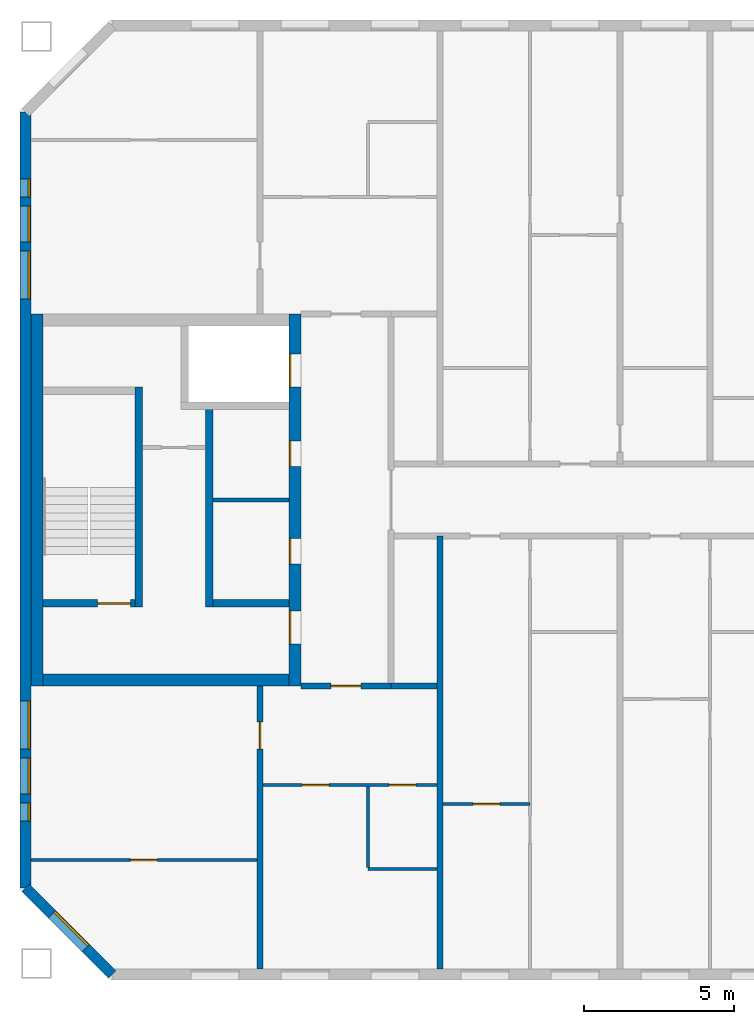
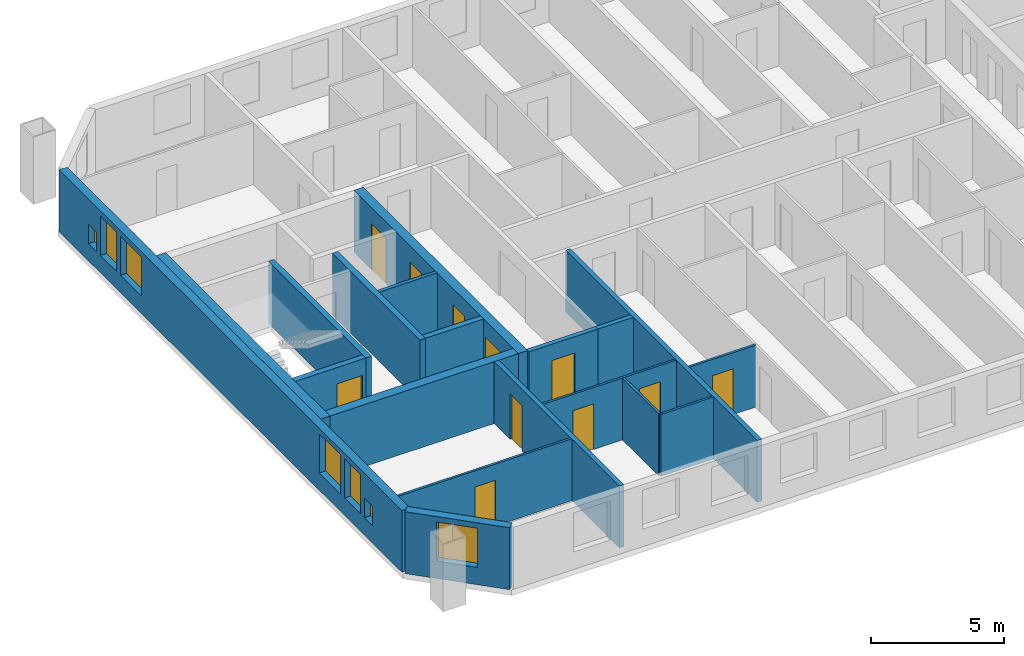
# One storey, part 4 of 19: 19 walls, 11 doors, 7 windows, 18 openings.
"""IFC4 building model written with IfcOpenShell, lengths in metres."""

import ifcopenshell
import ifcopenshell.guid

model = None  # the IFC model being written
_history = None  # IfcOwnerHistory: only IFC2X3 demands one
_inside = {}  # id of a spatial element -> (the spatial element, [elements in it])
_under = {}  # id of a project, library or spatial element -> (it, [spatial elements below it])
_declared = {}  # id of a project -> (the project, [libraries it declares])
_typed = {}  # id of a type object -> (the type object, [elements of that type])
_made_of = {}  # id of a material, layer set ... -> (it, [elements and type objects made of it])


def new_model(schema):
    """Start an empty IFC model of exactly this schema.

    Asked for "IFC4X3", IfcOpenShell would pick the latest addendum, in which some entities
    have other attributes; the version numbers below select the first issue.
    IFC2X3 requires an IfcOwnerHistory on every rooted entity: one is made here for all.
    """
    global model, _history
    if schema == "IFC4X3":
        model = ifcopenshell.file(schema_version=(4, 3, 0, 0))
    else:
        model = ifcopenshell.file(schema=schema)
    _inside.clear()
    _under.clear()
    _declared.clear()
    _typed.clear()
    _made_of.clear()
    _history = None
    if model.schema == "IFC2X3":
        org = make("IfcOrganization", Name="unknown")
        user = make(
            "IfcPersonAndOrganization",
            ThePerson=make("IfcPerson", FamilyName="unknown"),
            TheOrganization=org,
        )
        app = make(
            "IfcApplication",
            ApplicationDeveloper=org,
            Version="unknown",
            ApplicationFullName="unknown",
            ApplicationIdentifier="unknown",
        )
        _history = make(
            "IfcOwnerHistory",
            OwningUser=user,
            OwningApplication=app,
            ChangeAction="ADDED",
            CreationDate=0,
        )
    return model


def make(cls, **values):
    """One entity of the class cls with the attributes given. An attribute that is None is left unset."""
    return model.create_entity(
        cls, **{name: value for name, value in values.items() if value is not None}
    )


def rooted(cls, **values):
    """An entity with a GlobalId (a new one), such as an element, a storey or a relation."""
    return make(cls, GlobalId=ifcopenshell.guid.new(), OwnerHistory=_history, **values)


def si_unit(unit_type, name, prefix=None):
    """IfcSIUnit, for example si_unit("LENGTHUNIT", "METRE", prefix="MILLI")."""
    return make("IfcSIUnit", UnitType=unit_type, Prefix=prefix, Name=name)


def assignment(units):
    """IfcUnitAssignment: the units of a project."""
    return None if units is None else make("IfcUnitAssignment", Units=units)


def point(xyz):
    """IfcCartesianPoint."""
    return None if xyz is None else make("IfcCartesianPoint", Coordinates=xyz)


def direction(xyz):
    """IfcDirection."""
    return None if xyz is None else make("IfcDirection", DirectionRatios=xyz)


def frame(location, z_axis=None, x_axis=None):
    """IfcAxis2Placement3D, a coordinate frame: its origin and axes. An axis left out is left unset."""
    return make(
        "IfcAxis2Placement3D",
        Location=point(location),
        Axis=direction(z_axis),
        RefDirection=direction(x_axis),
    )


def frame_2d(location, x_axis=None):
    """IfcAxis2Placement2D, a coordinate frame in the plane: its origin and x axis."""
    return make(
        "IfcAxis2Placement2D", Location=point(location), RefDirection=direction(x_axis)
    )


def origin():
    """The frame at (0, 0, 0) with its axes left unset."""
    return frame((0.0, 0.0, 0.0))


def place(relative_to, where):
    """IfcLocalPlacement: puts the frame where relative to a parent placement (None: the world)."""
    return make(
        "IfcLocalPlacement", PlacementRelTo=relative_to, RelativePlacement=where
    )


def context(
    kind, dimensions, precision=None, world=None, true_north=None, identifier=None
):
    """IfcGeometricRepresentationContext, for example the 3D "Model" context."""
    return make(
        "IfcGeometricRepresentationContext",
        ContextIdentifier=identifier,
        ContextType=kind,
        CoordinateSpaceDimension=dimensions,
        Precision=precision,
        WorldCoordinateSystem=world,
        TrueNorth=true_north,
    )


def subcontext(parent, identifier, kind, view, scale=None):
    """IfcGeometricRepresentationSubContext, for example "Body" below "Model"."""
    return make(
        "IfcGeometricRepresentationSubContext",
        ContextIdentifier=identifier,
        ContextType=kind,
        ParentContext=parent,
        TargetScale=scale,
        TargetView=view,
    )


def project(units=None, contexts=None):
    """IfcProject with its units and contexts."""
    return rooted(
        "IfcProject",
        Name="project",
        RepresentationContexts=contexts,
        UnitsInContext=assignment(units),
    )


def spatial(cls, under=None, at=None, **own):
    """A site, building, storey or space (cls), placed at a placement, below another one or the project."""
    s = rooted(cls, ObjectPlacement=at, **own)
    if under is not None:
        _under.setdefault(under.id(), (under, []))[1].append(s)
    return s


def profile(cls, at=None, kind="AREA", **sizes):
    """A parametric profile (cls). Its sizes go by their IFC names, for example OverallWidth=200.0."""
    return make(cls, ProfileType=kind, Position=at, **sizes)


def rectangle(**sizes):
    """IfcRectangleProfileDef."""
    return profile("IfcRectangleProfileDef", **sizes)


def extrude(swept, where, along, depth):
    """IfcExtrudedAreaSolid: the profile swept, set in the frame where, extruded along a direction by depth."""
    return make(
        "IfcExtrudedAreaSolid",
        SweptArea=swept,
        Position=where,
        ExtrudedDirection=direction(along),
        Depth=depth,
    )


def shape(context_of_items, identifier, shape_type, items):
    """IfcShapeRepresentation: the items that make up one representation, for example the "Body"."""
    return make(
        "IfcShapeRepresentation",
        ContextOfItems=context_of_items,
        RepresentationIdentifier=identifier,
        RepresentationType=shape_type,
        Items=items,
    )


def material(Name=None, Category=None):
    """IfcMaterial."""
    return make("IfcMaterial", Name=Name, Category=Category)


def layer(
    of_material, thickness, ventilated=None, Name=None, Category=None, Priority=None
):
    """IfcMaterialLayer: one layer of a wall or slab, of a material (None: an air gap)."""
    return make(
        "IfcMaterialLayer",
        Material=of_material,
        LayerThickness=thickness,
        IsVentilated=ventilated,
        Name=Name,
        Category=Category,
        Priority=Priority,
    )


def layer_set(layers, Name=None):
    """IfcMaterialLayerSet."""
    return make("IfcMaterialLayerSet", MaterialLayers=layers, LayerSetName=Name)


def made_of(thing, what):
    """Note that an element or type object is made of a material, layer set ...; save() writes the relation."""
    if what is not None:
        _made_of.setdefault(what.id(), (what, []))[1].append(thing)
    return thing


def type_object(cls, material=None, **own):
    """A type object (cls), such as IfcWallType, which elements share."""
    return made_of(rooted(cls, **own), material)


def element(
    cls,
    number,
    at=None,
    inside=None,
    cuts=None,
    type_object=None,
    material=None,
    context=None,
    identifier="Body",
    shape_type=None,
    held_by="IfcProductDefinitionShape",
    body=None,
    shapes=None,
    **own,
):
    """One element of the class cls, such as IfcWall. Its Tag is "e" and its number.

    at: its placement. inside: the storey or other place that contains it. cuts: it is an
    opening in that element (IfcRelVoidsElement). A single representation is given by context,
    identifier, shape_type and body (its items); several are given by shapes. held_by: the class
    of the entity that holds the representations. save() writes the other relations.
    """
    e = rooted(cls, Tag="e%d" % number, ObjectPlacement=at, **own)
    if body is not None:
        shapes = [shape(context, identifier, shape_type, body)]
    if shapes is not None:
        e.Representation = make(held_by, Representations=shapes)
    if inside is not None:
        _inside.setdefault(inside.id(), (inside, []))[1].append(e)
    if cuts is not None:
        rooted(
            "IfcRelVoidsElement", RelatingBuildingElement=cuts, RelatedOpeningElement=e
        )
    if type_object is not None:
        _typed.setdefault(type_object.id(), (type_object, []))[1].append(e)
    return made_of(e, material)


def fill(opening, filler):
    """IfcRelFillsElement: the door or window that sits in an opening."""
    return rooted(
        "IfcRelFillsElement",
        RelatingOpeningElement=opening,
        RelatedBuildingElement=filler,
    )


def aggregate(whole, parts):
    """IfcRelAggregates: a whole, such as a stair, and the parts it consists of."""
    return rooted("IfcRelAggregates", RelatingObject=whole, RelatedObjects=parts)


def save(model, path):
    """Write the relations noted so far, then the file.

    IfcRelAggregates (storeys below a building ...), IfcRelContainedInSpatialStructure (elements
    in a storey), IfcRelDefinesByType, IfcRelAssociatesMaterial and IfcRelDeclares: one each for
    every whole, place, type object, material and project.
    """
    for whole, parts in _under.values():
        aggregate(whole, parts)
    for where, things in _inside.values():
        rooted(
            "IfcRelContainedInSpatialStructure",
            RelatedElements=things,
            RelatingStructure=where,
        )
    for kind, things in _typed.values():
        rooted("IfcRelDefinesByType", RelatedObjects=things, RelatingType=kind)
    for what, things in _made_of.values():
        rooted("IfcRelAssociatesMaterial", RelatedObjects=things, RelatingMaterial=what)
    for by, libraries in _declared.values():
        rooted("IfcRelDeclares", RelatingContext=by, RelatedDefinitions=libraries)
    model.write(path)


model = new_model("IFC4")

# Units and contexts
model_context = context("Model", 3, precision=1e-05, world=origin(), true_north=direction((0.0, 1.0)))
body_context = subcontext(model_context, "Body", "Model", "MODEL_VIEW")
ifc_project = project(units=[si_unit("LENGTHUNIT", "METRE"), si_unit("AREAUNIT", "SQUARE_METRE"), si_unit("VOLUMEUNIT", "CUBIC_METRE"), si_unit("PLANEANGLEUNIT", "RADIAN"), si_unit("MASSUNIT", "GRAM", prefix="KILO")], contexts=[model_context])

# Site, building, storey
site_placement = place(None, origin())
site = spatial("IfcSite", under=ifc_project, at=site_placement, CompositionType="ELEMENT")
building_placement = place(site_placement, origin())
building = spatial("IfcBuilding", under=site, at=building_placement, Name="Tuart Gate Housing", CompositionType="ELEMENT")
storey_placement = place(building_placement, frame((0.0, 0.0, 205.89990234375)))
storey = spatial("IfcBuildingStorey", under=building, at=storey_placement, Name="L58", CompositionType="ELEMENT", Elevation=205.89990234375)

# Wall, opening, window
ifc_material_1 = material(Name="Brick", Category="masonry")
ifc_layer_1 = layer(ifc_material_1, 0.360107421875)
ifc_layer_set_1 = layer_set([ifc_layer_1], Name="Brick pier and spandrel wall 360")
wall_type_1 = type_object("IfcWallType", Name="Brick pier and spandrel wall 360", PredefinedType="STANDARD", material=ifc_layer_set_1)
wall_1_placement = place(storey_placement, frame((32.179931640625, 57.07470703125, 0.0), z_axis=(0.0, 0.0, 1.0), x_axis=(0.707106781187, -0.707106781187, 0.0)))
wall_1 = element("IfcWall", 1, at=wall_1_placement, inside=storey, type_object=wall_type_1, Name="External wall BLK-SW L58", PredefinedType="STANDARD", context=body_context, shape_type="SweptSolid", body=[
    extrude(rectangle(XDim=4.09375, YDim=0.360107421875, at=frame_2d((2.046875, 0.0))), origin(), (0.0, 0.0, 1.0), 2.85009765625),
])
opening_1_placement = place(wall_1_placement, frame((1.2470703125, 0.0, 0.800048828125)))
opening_1 = element("IfcOpeningElement", 2, at=opening_1_placement, cuts=wall_1, Name="Opening W1", PredefinedType="OPENING", context=body_context, shape_type="SweptSolid", body=[
    extrude(rectangle(XDim=1.60009765625, YDim=1.800048828125, at=frame_2d((0.800048828125, 0.89990234375))), frame((0.0, 0.18994140625, 0.0), z_axis=(0.0, -1.0, 0.0), x_axis=(1.0, 0.0, 0.0)), (0.0, 0.0, 1.0), 0.380126953125),
])
ifc_material_2 = material(Name="Aluminium frame with clear glass", Category="aluminium")
window_type_1 = type_object("IfcWindowType", Name="Punched window 1600 x 1800", PartitioningType="SINGLE_PANEL", PredefinedType="WINDOW", material=ifc_material_2)
window_1_placement = place(opening_1_placement, origin())
window_1 = element("IfcWindow", 3, at=window_1_placement, inside=storey, type_object=window_type_1, Name="Window W1", OverallHeight=1.800048828125, OverallWidth=1.60009765625, PartitioningType="SINGLE_PANEL", PredefinedType="WINDOW", context=body_context, shape_type="SweptSolid", body=[
    extrude(rectangle(XDim=1.60009765625, YDim=1.800048828125, at=frame_2d((0.800048828125, 0.89990234375))), frame((0.0, 0.150146484375, 0.0), z_axis=(0.0, -1.0, 0.0), x_axis=(1.0, 0.0, 0.0)), (0.0, 0.0, 1.0), 0.06005859375),
])
fill(opening_1, window_1)

# Wall, openings, windows
wall_2_placement = place(storey_placement, frame((32.179931640625, 82.92529296875, 0.0), z_axis=(0.0, 0.0, 1.0), x_axis=(0.0, -1.0, 0.0)))
wall_2 = element("IfcWall", 4, at=wall_2_placement, inside=storey, type_object=wall_type_1, Name="External wall BLK-W L58", PredefinedType="STANDARD", context=body_context, shape_type="SweptSolid", body=[
    extrude(rectangle(XDim=25.850830078125, YDim=0.360107421875, at=frame_2d((12.92529296875, 0.0))), origin(), (0.0, 0.0, 1.0), 2.85009765625),
])
opening_2_placement = place(wall_2_placement, frame((2.225341796875, 0.0, 0.800048828125)))
opening_2 = element("IfcOpeningElement", 5, at=opening_2_placement, cuts=wall_2, Name="Opening W1W", PredefinedType="OPENING", context=body_context, shape_type="SweptSolid", body=[
    extrude(rectangle(XDim=0.60009765625, YDim=0.89990234375, at=frame_2d((0.300048828125, 0.449951171875))), frame((0.0, 0.18994140625, 0.0), z_axis=(0.0, -1.0, 0.0), x_axis=(1.0, 0.0, 0.0)), (0.0, 0.0, 1.0), 0.380126953125),
])
opening_3_placement = place(wall_2_placement, frame((4.62548828125, 0.0, 0.800048828125)))
opening_3 = element("IfcOpeningElement", 6, at=opening_3_placement, cuts=wall_2, Name="Opening W1", PredefinedType="OPENING", context=body_context, shape_type="SweptSolid", body=[
    extrude(rectangle(XDim=1.60009765625, YDim=1.800048828125, at=frame_2d((0.800048828125, 0.89990234375))), frame((0.0, 0.18994140625, 0.0), z_axis=(0.0, -1.0, 0.0), x_axis=(1.0, 0.0, 0.0)), (0.0, 0.0, 1.0), 0.380126953125),
])
opening_4_placement = place(wall_2_placement, frame((19.62548828125, 0.0, 0.800048828125)))
opening_4 = element("IfcOpeningElement", 7, at=opening_4_placement, cuts=wall_2, Name="Opening W1", PredefinedType="OPENING", context=body_context, shape_type="SweptSolid", body=[
    extrude(rectangle(XDim=1.60009765625, YDim=1.800048828125, at=frame_2d((0.800048828125, 0.89990234375))), frame((0.0, 0.18994140625, 0.0), z_axis=(0.0, -1.0, 0.0), x_axis=(1.0, 0.0, 0.0)), (0.0, 0.0, 1.0), 0.380126953125),
])
opening_5_placement = place(wall_2_placement, frame((21.525390625, 0.0, 0.800048828125)))
opening_5 = element("IfcOpeningElement", 8, at=opening_5_placement, cuts=wall_2, Name="Opening W1B", PredefinedType="OPENING", context=body_context, shape_type="SweptSolid", body=[
    extrude(rectangle(XDim=1.199951171875, YDim=1.800048828125, at=frame_2d((0.60009765625, 0.89990234375))), frame((0.0, 0.18994140625, 0.0), z_axis=(0.0, -1.0, 0.0), x_axis=(1.0, 0.0, 0.0)), (0.0, 0.0, 1.0), 0.380126953125),
])
opening_6_placement = place(wall_2_placement, frame((3.12548828125, 0.0, 0.800048828125)))
opening_6 = element("IfcOpeningElement", 9, at=opening_6_placement, cuts=wall_2, Name="Opening W1B", PredefinedType="OPENING", context=body_context, shape_type="SweptSolid", body=[
    extrude(rectangle(XDim=1.199951171875, YDim=1.800048828125, at=frame_2d((0.60009765625, 0.89990234375))), frame((0.0, 0.18994140625, 0.0), z_axis=(0.0, -1.0, 0.0), x_axis=(1.0, 0.0, 0.0)), (0.0, 0.0, 1.0), 0.380126953125),
])
opening_7_placement = place(wall_2_placement, frame((23.025390625, 0.0, 0.800048828125)))
opening_7 = element("IfcOpeningElement", 10, at=opening_7_placement, cuts=wall_2, Name="Opening W1W", PredefinedType="OPENING", context=body_context, shape_type="SweptSolid", body=[
    extrude(rectangle(XDim=0.60009765625, YDim=0.89990234375, at=frame_2d((0.300048828125, 0.449951171875))), frame((0.0, 0.18994140625, 0.0), z_axis=(0.0, -1.0, 0.0), x_axis=(1.0, 0.0, 0.0)), (0.0, 0.0, 1.0), 0.380126953125),
])
ifc_material_3 = material(Name="Aluminium frame with clear glass", Category="aluminium")
window_type_2 = type_object("IfcWindowType", Name="Punched window 1200 x 1800", PartitioningType="SINGLE_PANEL", PredefinedType="WINDOW", material=ifc_material_3)
window_2_placement = place(opening_5_placement, origin())
window_2 = element("IfcWindow", 11, at=window_2_placement, inside=storey, type_object=window_type_2, Name="Window W1B", OverallHeight=1.800048828125, OverallWidth=1.199951171875, PartitioningType="SINGLE_PANEL", PredefinedType="WINDOW", context=body_context, shape_type="SweptSolid", body=[
    extrude(rectangle(XDim=1.199951171875, YDim=1.800048828125, at=frame_2d((0.60009765625, 0.89990234375))), frame((0.0, 0.150146484375, 0.0), z_axis=(0.0, -1.0, 0.0), x_axis=(1.0, 0.0, 0.0)), (0.0, 0.0, 1.0), 0.06005859375),
])
fill(opening_5, window_2)
window_3_placement = place(opening_6_placement, origin())
window_3 = element("IfcWindow", 12, at=window_3_placement, inside=storey, type_object=window_type_2, Name="Window W1B", OverallHeight=1.800048828125, OverallWidth=1.199951171875, PartitioningType="SINGLE_PANEL", PredefinedType="WINDOW", context=body_context, shape_type="SweptSolid", body=[
    extrude(rectangle(XDim=1.199951171875, YDim=1.800048828125, at=frame_2d((0.60009765625, 0.89990234375))), frame((0.0, 0.150146484375, 0.0), z_axis=(0.0, -1.0, 0.0), x_axis=(1.0, 0.0, 0.0)), (0.0, 0.0, 1.0), 0.06005859375),
])
fill(opening_6, window_3)
window_4_placement = place(opening_3_placement, origin())
window_4 = element("IfcWindow", 13, at=window_4_placement, inside=storey, type_object=window_type_1, Name="Window W1", OverallHeight=1.800048828125, OverallWidth=1.60009765625, PartitioningType="SINGLE_PANEL", PredefinedType="WINDOW", context=body_context, shape_type="SweptSolid", body=[
    extrude(rectangle(XDim=1.60009765625, YDim=1.800048828125, at=frame_2d((0.800048828125, 0.89990234375))), frame((0.0, 0.150146484375, 0.0), z_axis=(0.0, -1.0, 0.0), x_axis=(1.0, 0.0, 0.0)), (0.0, 0.0, 1.0), 0.06005859375),
])
fill(opening_3, window_4)
window_5_placement = place(opening_4_placement, origin())
window_5 = element("IfcWindow", 14, at=window_5_placement, inside=storey, type_object=window_type_1, Name="Window W1", OverallHeight=1.800048828125, OverallWidth=1.60009765625, PartitioningType="SINGLE_PANEL", PredefinedType="WINDOW", context=body_context, shape_type="SweptSolid", body=[
    extrude(rectangle(XDim=1.60009765625, YDim=1.800048828125, at=frame_2d((0.800048828125, 0.89990234375))), frame((0.0, 0.150146484375, 0.0), z_axis=(0.0, -1.0, 0.0), x_axis=(1.0, 0.0, 0.0)), (0.0, 0.0, 1.0), 0.06005859375),
])
fill(opening_4, window_5)
ifc_material_4 = material(Name="Aluminium frame with clear glass", Category="aluminium")
window_type_3 = type_object("IfcWindowType", Name="Punched window 600 x 900", PartitioningType="SINGLE_PANEL", PredefinedType="WINDOW", material=ifc_material_4)
window_6_placement = place(opening_2_placement, origin())
window_6 = element("IfcWindow", 15, at=window_6_placement, inside=storey, type_object=window_type_3, Name="Window W1W", OverallHeight=0.89990234375, OverallWidth=0.60009765625, PartitioningType="SINGLE_PANEL", PredefinedType="WINDOW", context=body_context, shape_type="SweptSolid", body=[
    extrude(rectangle(XDim=0.60009765625, YDim=0.89990234375, at=frame_2d((0.300048828125, 0.449951171875))), frame((0.0, 0.150146484375, 0.0), z_axis=(0.0, -1.0, 0.0), x_axis=(1.0, 0.0, 0.0)), (0.0, 0.0, 1.0), 0.06005859375),
])
fill(opening_2, window_6)
window_7_placement = place(opening_7_placement, origin())
window_7 = element("IfcWindow", 16, at=window_7_placement, inside=storey, type_object=window_type_3, Name="Window W1W", OverallHeight=0.89990234375, OverallWidth=0.60009765625, PartitioningType="SINGLE_PANEL", PredefinedType="WINDOW", context=body_context, shape_type="SweptSolid", body=[
    extrude(rectangle(XDim=0.60009765625, YDim=0.89990234375, at=frame_2d((0.300048828125, 0.449951171875))), frame((0.0, 0.150146484375, 0.0), z_axis=(0.0, -1.0, 0.0), x_axis=(1.0, 0.0, 0.0)), (0.0, 0.0, 1.0), 0.06005859375),
])
fill(opening_7, window_7)

# Walls
ifc_material_5 = material(Name="Plasterboard partition")
ifc_layer_2 = layer(ifc_material_5, 0.14990234375)
ifc_layer_set_2 = layer_set([ifc_layer_2], Name="Core partition 150")
wall_type_2 = type_object("IfcWallType", Name="Core partition 150", PredefinedType="PARTITIONING", material=ifc_layer_set_2)
wall_3_placement = place(storey_placement, frame((40.9599609375, 70.0, 0.0), z_axis=(0.0, 0.0, 1.0), x_axis=(-1.0, 0.0, 0.0)))
element("IfcWall", 17, at=wall_3_placement, inside=storey, type_object=wall_type_2, Name="Core partition AK.4", PredefinedType="PARTITIONING", context=body_context, shape_type="SweptSolid", body=[
    extrude(rectangle(XDim=2.52490234375, YDim=0.14990234375, at=frame_2d((1.262451171875, 0.0))), origin(), (0.0, 0.0, 1.0), 2.85009765625),
])
ifc_material_6 = material(Name="Concrete C40", Category="concrete")
ifc_layer_3 = layer(ifc_material_6, 0.25)
ifc_layer_set_3 = layer_set([ifc_layer_3], Name="Core wall 250 C40")
wall_type_3 = type_object("IfcWallType", Name="Core wall 250 C40", PredefinedType="SHEAR", material=ifc_layer_set_3)
wall_4_placement = place(storey_placement, frame((40.9599609375, 66.550048828125, 0.0), z_axis=(0.0, 0.0, 1.0), x_axis=(-1.0, 0.0, 0.0)))
element("IfcWall", 18, at=wall_4_placement, inside=storey, type_object=wall_type_3, Name="Core wall AK.5", PredefinedType="SHEAR", context=body_context, shape_type="SweptSolid", body=[
    extrude(rectangle(XDim=2.52490234375, YDim=0.25, at=frame_2d((1.262451171875, 0.0))), origin(), (0.0, 0.0, 1.0), 2.85009765625),
])

# Wall, opening, door
wall_5_placement = place(storey_placement, frame((35.8349609375, 66.550048828125, 0.0), z_axis=(0.0, 0.0, 1.0), x_axis=(-1.0, 0.0, 0.0)))
wall_5 = element("IfcWall", 19, at=wall_5_placement, inside=storey, type_object=wall_type_3, Name="Core wall AK.6", PredefinedType="SHEAR", context=body_context, shape_type="SweptSolid", body=[
    extrude(rectangle(XDim=3.074951171875, YDim=0.25, at=frame_2d((1.53759765625, 0.0))), origin(), (0.0, 0.0, 1.0), 2.85009765625),
])
opening_8_placement = place(wall_5_placement, frame((0.14990234375, 0.0, 0.0)))
opening_8 = element("IfcOpeningElement", 20, at=opening_8_placement, cuts=wall_5, Name="Opening D1982", PredefinedType="OPENING", context=body_context, shape_type="SweptSolid", body=[
    extrude(rectangle(XDim=1.10009765625, YDim=2.10009765625, at=frame_2d((0.550048828125, 1.050048828125))), frame((0.0, 0.135009765625, 0.0), z_axis=(0.0, -1.0, 0.0), x_axis=(1.0, 0.0, 0.0)), (0.0, 0.0, 1.0), 0.27001953125),
])
ifc_material_7 = material(Name="Steel fire door", Category="steel")
door_type_1 = type_object("IfcDoorType", Name="Stair door 1100 x 2100 RH", OperationType="SINGLE_SWING_RIGHT", PredefinedType="DOOR", material=ifc_material_7)
door_1_placement = place(opening_8_placement, frame((1.10009765625, 0.0, 0.0), z_axis=(0.0, 0.0, 1.0), x_axis=(-1.0, 0.0, 0.0)))
door_1 = element("IfcDoor", 21, at=door_1_placement, inside=storey, type_object=door_type_1, Name="Stair door AK.SD", OperationType="SINGLE_SWING_RIGHT", OverallHeight=2.10009765625, OverallWidth=1.10009765625, PredefinedType="DOOR", context=body_context, shape_type="SweptSolid", body=[
    extrude(rectangle(XDim=1.10009765625, YDim=2.10009765625, at=frame_2d((0.550048828125, 1.050048828125))), frame((0.0, 0.025146484375, 0.0), z_axis=(0.0, -1.0, 0.0), x_axis=(1.0, 0.0, 0.0)), (0.0, 0.0, 1.0), 0.050048828125),
])
fill(opening_8, door_1)

# Walls
wall_6_placement = place(storey_placement, frame((38.31005859375, 73.02490234375, 0.0), z_axis=(0.0, 0.0, 1.0), x_axis=(0.0, -1.0, 0.0)))
element("IfcWall", 22, at=wall_6_placement, inside=storey, type_object=wall_type_3, Name="Core wall AK.7", PredefinedType="SHEAR", context=body_context, shape_type="SweptSolid", body=[
    extrude(rectangle(XDim=6.599853515625, YDim=0.25, at=frame_2d((3.2998046875, 0.0))), origin(), (0.0, 0.0, 1.0), 2.85009765625),
])
wall_7_placement = place(storey_placement, frame((35.9599609375, 73.77490234375, 0.0), z_axis=(0.0, 0.0, 1.0), x_axis=(0.0, -1.0, 0.0)))
element("IfcWall", 23, at=wall_7_placement, inside=storey, type_object=wall_type_3, Name="Core wall AK.9", PredefinedType="SHEAR", context=body_context, shape_type="SweptSolid", body=[
    extrude(rectangle(XDim=7.349853515625, YDim=0.25, at=frame_2d((3.6748046875, 0.0))), origin(), (0.0, 0.0, 1.0), 2.85009765625),
])

# Wall, openings, doors
ifc_material_8 = material(Name="Concrete C40", Category="concrete")
ifc_layer_4 = layer(ifc_material_8, 0.39990234375)
ifc_layer_set_4 = layer_set([ifc_layer_4], Name="Core wall 400 C40")
wall_type_4 = type_object("IfcWallType", Name="Core wall 400 C40", PredefinedType="SHEAR", material=ifc_layer_set_4)
wall_8_placement = place(storey_placement, frame((41.159912109375, 76.199951171875, 0.0), z_axis=(0.0, 0.0, 1.0), x_axis=(0.0, -1.0, 0.0)))
wall_8 = element("IfcWall", 24, at=wall_8_placement, inside=storey, type_object=wall_type_4, Name="Core wall AK front", PredefinedType="SHEAR", context=body_context, shape_type="SweptSolid", body=[
    extrude(rectangle(XDim=12.39990234375, YDim=0.39990234375, at=frame_2d((6.199951171875, 0.0))), origin(), (0.0, 0.0, 1.0), 2.85009765625),
])
opening_9_placement = place(wall_8_placement, frame((1.324951171875, 0.0, 0.0)))
opening_9 = element("IfcOpeningElement", 25, at=opening_9_placement, cuts=wall_8, Name="Opening LD-FA2", PredefinedType="OPENING", context=body_context, shape_type="SweptSolid", body=[
    extrude(rectangle(XDim=1.10009765625, YDim=2.10009765625, at=frame_2d((0.550048828125, 1.050048828125))), frame((0.0, 0.2099609375, 0.0), z_axis=(0.0, -1.0, 0.0), x_axis=(1.0, 0.0, 0.0)), (0.0, 0.0, 1.0), 0.419921875),
])
opening_10_placement = place(wall_8_placement, frame((4.22509765625, 0.0, 0.0)))
opening_10 = element("IfcOpeningElement", 26, at=opening_10_placement, cuts=wall_8, Name="Opening D1971", PredefinedType="OPENING", context=body_context, shape_type="SweptSolid", body=[
    extrude(rectangle(XDim=0.85009765625, YDim=2.10009765625, at=frame_2d((0.425048828125, 1.050048828125))), frame((0.0, 0.2099609375, 0.0), z_axis=(0.0, -1.0, 0.0), x_axis=(1.0, 0.0, 0.0)), (0.0, 0.0, 1.0), 0.419921875),
])
opening_11_placement = place(wall_8_placement, frame((7.47509765625, 0.0, 0.0)))
opening_11 = element("IfcOpeningElement", 27, at=opening_11_placement, cuts=wall_8, Name="Opening D1972", PredefinedType="OPENING", context=body_context, shape_type="SweptSolid", body=[
    extrude(rectangle(XDim=0.85009765625, YDim=2.10009765625, at=frame_2d((0.425048828125, 1.050048828125))), frame((0.0, 0.2099609375, 0.0), z_axis=(0.0, -1.0, 0.0), x_axis=(1.0, 0.0, 0.0)), (0.0, 0.0, 1.0), 0.419921875),
])
opening_12_placement = place(wall_8_placement, frame((9.89990234375, 0.0, 0.0)))
opening_12 = element("IfcOpeningElement", 28, at=opening_12_placement, cuts=wall_8, Name="Opening D1970", PredefinedType="OPENING", context=body_context, shape_type="SweptSolid", body=[
    extrude(rectangle(XDim=1.10009765625, YDim=2.10009765625, at=frame_2d((0.550048828125, 1.050048828125))), frame((0.0, 0.2099609375, 0.0), z_axis=(0.0, -1.0, 0.0), x_axis=(1.0, 0.0, 0.0)), (0.0, 0.0, 1.0), 0.419921875),
])
ifc_material_9 = material(Name="Stainless steel", Category="steel")
door_type_2 = type_object("IfcDoorType", Name="Landing door 1100 x 2100", OperationType="DOUBLE_DOOR_SLIDING", PredefinedType="DOOR", material=ifc_material_9)
door_2_placement = place(opening_9_placement, origin())
door_2 = element("IfcDoor", 29, at=door_2_placement, inside=storey, type_object=door_type_2, Name="Lift landing door FA2", OperationType="DOUBLE_DOOR_SLIDING", OverallHeight=2.10009765625, OverallWidth=1.10009765625, PredefinedType="DOOR", context=body_context, shape_type="SweptSolid", body=[
    extrude(rectangle(XDim=1.10009765625, YDim=2.10009765625, at=frame_2d((0.550048828125, 1.050048828125))), frame((0.0, -0.134765625, 0.0), z_axis=(0.0, -1.0, 0.0), x_axis=(1.0, 0.0, 0.0)), (0.0, 0.0, 1.0), 0.050048828125),
])
fill(opening_9, door_2)
ifc_material_10 = material(Name="Steel fire door", Category="steel")
door_type_3 = type_object("IfcDoorType", Name="Lobby door 1100 x 2100 RH", OperationType="SINGLE_SWING_RIGHT", PredefinedType="DOOR", material=ifc_material_10)
door_3_placement = place(opening_12_placement, frame((1.10009765625, 0.0, 0.0), z_axis=(0.0, 0.0, 1.0), x_axis=(-1.0, 0.0, 0.0)))
door_3 = element("IfcDoor", 30, at=door_3_placement, inside=storey, type_object=door_type_3, Name="Lobby entry door AK.EN", OperationType="SINGLE_SWING_RIGHT", OverallHeight=2.10009765625, OverallWidth=1.10009765625, PredefinedType="DOOR", context=body_context, shape_type="SweptSolid", body=[
    extrude(rectangle(XDim=1.10009765625, YDim=2.10009765625, at=frame_2d((0.550048828125, 1.050048828125))), frame((0.0, 0.184814453125, 0.0), z_axis=(0.0, -1.0, 0.0), x_axis=(1.0, 0.0, 0.0)), (0.0, 0.0, 1.0), 0.050048828125),
])
fill(opening_12, door_3)
ifc_material_11 = material(Name="Steel fire door", Category="steel")
door_type_4 = type_object("IfcDoorType", Name="Service door 850 x 2100 RH", OperationType="SINGLE_SWING_RIGHT", PredefinedType="DOOR", material=ifc_material_11)
door_4_placement = place(opening_10_placement, frame((0.85009765625, 0.0, 0.0), z_axis=(0.0, 0.0, 1.0), x_axis=(-1.0, 0.0, 0.0)))
door_4 = element("IfcDoor", 31, at=door_4_placement, inside=storey, type_object=door_type_4, Name="Service room door AK.FR1", OperationType="SINGLE_SWING_RIGHT", OverallHeight=2.10009765625, OverallWidth=0.85009765625, PredefinedType="DOOR", context=body_context, shape_type="SweptSolid", body=[
    extrude(rectangle(XDim=0.85009765625, YDim=2.10009765625, at=frame_2d((0.425048828125, 1.050048828125))), frame((0.0, 0.184814453125, 0.0), z_axis=(0.0, -1.0, 0.0), x_axis=(1.0, 0.0, 0.0)), (0.0, 0.0, 1.0), 0.050048828125),
])
fill(opening_10, door_4)
door_5_placement = place(opening_11_placement, frame((0.85009765625, 0.0, 0.0), z_axis=(0.0, 0.0, 1.0), x_axis=(-1.0, 0.0, 0.0)))
door_5 = element("IfcDoor", 32, at=door_5_placement, inside=storey, type_object=door_type_4, Name="Service room door AK.FR2", OperationType="SINGLE_SWING_RIGHT", OverallHeight=2.10009765625, OverallWidth=0.85009765625, PredefinedType="DOOR", context=body_context, shape_type="SweptSolid", body=[
    extrude(rectangle(XDim=0.85009765625, YDim=2.10009765625, at=frame_2d((0.425048828125, 1.050048828125))), frame((0.0, 0.184814453125, 0.0), z_axis=(0.0, -1.0, 0.0), x_axis=(1.0, 0.0, 0.0)), (0.0, 0.0, 1.0), 0.050048828125),
])
fill(opening_11, door_5)

# Walls
wall_9_placement = place(storey_placement, frame((32.56005859375, 76.199951171875, 0.0), z_axis=(0.0, 0.0, 1.0), x_axis=(0.0, -1.0, 0.0)))
element("IfcWall", 33, at=wall_9_placement, inside=storey, type_object=wall_type_4, Name="Core wall AK back", PredefinedType="SHEAR", context=body_context, shape_type="SweptSolid", body=[
    extrude(rectangle(XDim=12.39990234375, YDim=0.39990234375, at=frame_2d((6.199951171875, 0.0))), origin(), (0.0, 0.0, 1.0), 2.85009765625),
])
wall_10_placement = place(storey_placement, frame((40.9599609375, 64.0, 0.0), z_axis=(0.0, 0.0, 1.0), x_axis=(-1.0, 0.0, 0.0)))
element("IfcWall", 34, at=wall_10_placement, inside=storey, type_object=wall_type_4, Name="Core wall AK north", PredefinedType="SHEAR", context=body_context, shape_type="SweptSolid", body=[
    extrude(rectangle(XDim=8.199951171875, YDim=0.39990234375, at=frame_2d((4.10009765625, 0.0))), origin(), (0.0, 0.0, 1.0), 2.85009765625),
])

# Wall, opening, door
ifc_material_12 = material(Name="Concrete masonry 15 MPa", Category="masonry")
ifc_layer_5 = layer(ifc_material_12, 0.199951171875)
ifc_layer_set_5 = layer_set([ifc_layer_5], Name="Enclosure wall masonry 200")
wall_type_5 = type_object("IfcWallType", Name="Enclosure wall masonry 200", PredefinedType="PARTITIONING", material=ifc_layer_set_5)
wall_11_placement = place(storey_placement, frame((41.360107421875, 63.800048828125, 0.0), z_axis=(0.0, 0.0, 1.0), x_axis=(1.0, 0.0, 0.0)))
wall_11 = element("IfcWall", 35, at=wall_11_placement, inside=storey, type_object=wall_type_5, Name="Enclosure wall masonry 200", PredefinedType="PARTITIONING", context=body_context, shape_type="SweptSolid", body=[
    extrude(rectangle(XDim=3.0, YDim=0.199951171875, at=frame_2d((1.5, 0.0))), origin(), (0.0, 0.0, 1.0), 2.85009765625),
])
opening_13_placement = place(wall_11_placement, frame((1.0, 0.0, 0.0)))
opening_13 = element("IfcOpeningElement", 36, at=opening_13_placement, cuts=wall_11, Name="Opening D1983", PredefinedType="OPENING", context=body_context, shape_type="SweptSolid", body=[
    extrude(rectangle(XDim=1.0, YDim=2.10009765625, at=frame_2d((0.5, 1.050048828125))), frame((0.0, 0.10986328125, 0.0), z_axis=(0.0, -1.0, 0.0), x_axis=(1.0, 0.0, 0.0)), (0.0, 0.0, 1.0), 0.219970703125),
])
ifc_material_13 = material(Name="Timber door leaf in steel frame", Category="steel")
door_type_5 = type_object("IfcDoorType", Name="Flat entrance door 1000 RH", OperationType="SINGLE_SWING_RIGHT", PredefinedType="DOOR", material=ifc_material_13)
door_6_placement = place(opening_13_placement, frame((1.0, 0.0, 0.0), z_axis=(0.0, 0.0, 1.0), x_axis=(-1.0, 0.0, 0.0)))
door_6 = element("IfcDoor", 37, at=door_6_placement, inside=storey, type_object=door_type_5, Name="Flat entrance door", OperationType="SINGLE_SWING_RIGHT", OverallHeight=2.10009765625, OverallWidth=1.0, PredefinedType="DOOR", context=body_context, shape_type="SweptSolid", body=[
    extrude(rectangle(XDim=1.0, YDim=2.10009765625, at=frame_2d((0.5, 1.050048828125))), frame((0.0, 0.025146484375, 0.0), z_axis=(0.0, -1.0, 0.0), x_axis=(1.0, 0.0, 0.0)), (0.0, 0.0, 1.0), 0.050048828125),
])
fill(opening_13, door_6)

# Wall
ifc_material_14 = material(Name="Gypsum board on steel studs", Category="steel")
ifc_layer_6 = layer(ifc_material_14, 0.10009765625)
ifc_layer_set_6 = layer_set([ifc_layer_6], Name="Partition 100")
wall_type_6 = type_object("IfcWallType", Name="Partition 100", PredefinedType="PARTITIONING", material=ifc_layer_set_6)
wall_12_placement = place(storey_placement, frame((43.60009765625, 57.699951171875, 0.0), z_axis=(0.0, 0.0, 1.0), x_axis=(1.0, 0.0, 0.0)))
element("IfcWall", 38, at=wall_12_placement, inside=storey, type_object=wall_type_6, Name="Partition 100", PredefinedType="PARTITIONING", context=body_context, shape_type="SweptSolid", body=[
    extrude(rectangle(XDim=2.2998046875, YDim=0.10009765625, at=frame_2d((1.14990234375, 0.0))), origin(), (0.0, 0.0, 1.0), 2.85009765625),
])

# Wall, opening, door
wall_13_placement = place(storey_placement, frame((32.360107421875, 58.0, 0.0), z_axis=(0.0, 0.0, 1.0), x_axis=(1.0, 0.0, 0.0)))
wall_13 = element("IfcWall", 39, at=wall_13_placement, inside=storey, type_object=wall_type_6, Name="Partition 100", PredefinedType="PARTITIONING", context=body_context, shape_type="SweptSolid", body=[
    extrude(rectangle(XDim=7.539794921875, YDim=0.10009765625, at=frame_2d((3.77001953125, 0.0))), origin(), (0.0, 0.0, 1.0), 2.85009765625),
])
opening_14_placement = place(wall_13_placement, frame((3.320068359375, 0.0, 0.0)))
opening_14 = element("IfcOpeningElement", 40, at=opening_14_placement, cuts=wall_13, Name="Opening D2001", PredefinedType="OPENING", context=body_context, shape_type="SweptSolid", body=[
    extrude(rectangle(XDim=0.89990234375, YDim=2.10009765625, at=frame_2d((0.449951171875, 1.050048828125))), frame((0.0, 0.06005859375, 0.0), z_axis=(0.0, -1.0, 0.0), x_axis=(1.0, 0.0, 0.0)), (0.0, 0.0, 1.0), 0.1201171875),
])
ifc_material_15 = material(Name="Timber door leaf in steel frame", Category="steel")
door_type_6 = type_object("IfcDoorType", Name="Internal door 900 RH", OperationType="SINGLE_SWING_RIGHT", PredefinedType="DOOR", material=ifc_material_15)
door_7_placement = place(opening_14_placement, frame((0.89990234375, 0.0, 0.0), z_axis=(0.0, 0.0, 1.0), x_axis=(-1.0, 0.0, 0.0)))
door_7 = element("IfcDoor", 41, at=door_7_placement, inside=storey, type_object=door_type_6, Name="Internal door", OperationType="SINGLE_SWING_RIGHT", OverallHeight=2.10009765625, OverallWidth=0.89990234375, PredefinedType="DOOR", context=body_context, shape_type="SweptSolid", body=[
    extrude(rectangle(XDim=0.89990234375, YDim=2.10009765625, at=frame_2d((0.449951171875, 1.050048828125))), frame((0.0, 0.025146484375, 0.0), z_axis=(0.0, -1.0, 0.0), x_axis=(1.0, 0.0, 0.0)), (0.0, 0.0, 1.0), 0.050048828125),
])
fill(opening_14, door_7)

wall_14_placement = place(storey_placement, frame((46.10009765625, 59.860107421875, 0.0), z_axis=(0.0, 0.0, 1.0), x_axis=(1.0, 0.0, 0.0)))
wall_14 = element("IfcWall", 42, at=wall_14_placement, inside=storey, type_object=wall_type_6, Name="Partition 100", PredefinedType="PARTITIONING", context=body_context, shape_type="SweptSolid", body=[
    extrude(rectangle(XDim=2.89990234375, YDim=0.10009765625, at=frame_2d((1.449951171875, 0.0))), origin(), (0.0, 0.0, 1.0), 2.85009765625),
])
opening_15_placement = place(wall_14_placement, frame((1.0, 0.0, 0.0)))
opening_15 = element("IfcOpeningElement", 43, at=opening_15_placement, cuts=wall_14, Name="Opening D1997", PredefinedType="OPENING", context=body_context, shape_type="SweptSolid", body=[
    extrude(rectangle(XDim=0.89990234375, YDim=2.10009765625, at=frame_2d((0.449951171875, 1.050048828125))), frame((0.0, 0.06005859375, 0.0), z_axis=(0.0, -1.0, 0.0), x_axis=(1.0, 0.0, 0.0)), (0.0, 0.0, 1.0), 0.1201171875),
])
door_8_placement = place(opening_15_placement, origin())
door_8 = element("IfcDoor", 44, at=door_8_placement, inside=storey, type_object=door_type_6, Name="Internal door", OperationType="SINGLE_SWING_RIGHT", OverallHeight=2.10009765625, OverallWidth=0.89990234375, PredefinedType="DOOR", context=body_context, shape_type="SweptSolid", body=[
    extrude(rectangle(XDim=0.89990234375, YDim=2.10009765625, at=frame_2d((0.449951171875, 1.050048828125))), frame((0.0, 0.02490234375, 0.0), z_axis=(0.0, -1.0, 0.0), x_axis=(1.0, 0.0, 0.0)), (0.0, 0.0, 1.0), 0.050048828125),
])
fill(opening_15, door_8)

# Wall, openings, doors
wall_15_placement = place(storey_placement, frame((40.10009765625, 60.5, 0.0), z_axis=(0.0, 0.0, 1.0), x_axis=(1.0, 0.0, 0.0)))
wall_15 = element("IfcWall", 45, at=wall_15_placement, inside=storey, type_object=wall_type_6, Name="Partition 100", PredefinedType="PARTITIONING", context=body_context, shape_type="SweptSolid", body=[
    extrude(rectangle(XDim=5.7998046875, YDim=0.10009765625, at=frame_2d((2.89990234375, 0.0))), origin(), (0.0, 0.0, 1.0), 2.85009765625),
])
opening_16_placement = place(wall_15_placement, frame((1.300048828125, 0.0, 0.0)))
opening_16 = element("IfcOpeningElement", 46, at=opening_16_placement, cuts=wall_15, Name="Opening D1994", PredefinedType="OPENING", context=body_context, shape_type="SweptSolid", body=[
    extrude(rectangle(XDim=0.89990234375, YDim=2.10009765625, at=frame_2d((0.449951171875, 1.050048828125))), frame((0.0, 0.06005859375, 0.0), z_axis=(0.0, -1.0, 0.0), x_axis=(1.0, 0.0, 0.0)), (0.0, 0.0, 1.0), 0.1201171875),
])
opening_17_placement = place(wall_15_placement, frame((4.199951171875, 0.0, 0.0)))
opening_17 = element("IfcOpeningElement", 47, at=opening_17_placement, cuts=wall_15, Name="Opening D1993", PredefinedType="OPENING", context=body_context, shape_type="SweptSolid", body=[
    extrude(rectangle(XDim=0.89990234375, YDim=2.10009765625, at=frame_2d((0.449951171875, 1.050048828125))), frame((0.0, 0.06005859375, 0.0), z_axis=(0.0, -1.0, 0.0), x_axis=(1.0, 0.0, 0.0)), (0.0, 0.0, 1.0), 0.1201171875),
])
ifc_material_16 = material(Name="Timber door leaf in steel frame", Category="steel")
door_type_7 = type_object("IfcDoorType", Name="Bathroom door 900 RH", OperationType="SINGLE_SWING_RIGHT", PredefinedType="DOOR", material=ifc_material_16)
door_9_placement = place(opening_17_placement, frame((0.89990234375, 0.0, 0.0), z_axis=(0.0, 0.0, 1.0), x_axis=(-1.0, 0.0, 0.0)))
door_9 = element("IfcDoor", 48, at=door_9_placement, inside=storey, type_object=door_type_7, Name="Bathroom door", OperationType="SINGLE_SWING_RIGHT", OverallHeight=2.10009765625, OverallWidth=0.89990234375, PredefinedType="DOOR", context=body_context, shape_type="SweptSolid", body=[
    extrude(rectangle(XDim=0.89990234375, YDim=2.10009765625, at=frame_2d((0.449951171875, 1.050048828125))), frame((0.0, 0.025146484375, 0.0), z_axis=(0.0, -1.0, 0.0), x_axis=(1.0, 0.0, 0.0)), (0.0, 0.0, 1.0), 0.050048828125),
])
fill(opening_17, door_9)
ifc_material_17 = material(Name="Timber door leaf in steel frame", Category="steel")
door_type_8 = type_object("IfcDoorType", Name="Internal door 900", OperationType="SINGLE_SWING_LEFT", PredefinedType="DOOR", material=ifc_material_17)
door_10_placement = place(opening_16_placement, frame((0.89990234375, 0.0, 0.0), z_axis=(0.0, 0.0, 1.0), x_axis=(-1.0, 0.0, 0.0)))
door_10 = element("IfcDoor", 49, at=door_10_placement, inside=storey, type_object=door_type_8, Name="Internal door", OperationType="SINGLE_SWING_LEFT", OverallHeight=2.10009765625, OverallWidth=0.89990234375, PredefinedType="DOOR", context=body_context, shape_type="SweptSolid", body=[
    extrude(rectangle(XDim=0.89990234375, YDim=2.10009765625, at=frame_2d((0.449951171875, 1.050048828125))), frame((0.0, 0.025146484375, 0.0), z_axis=(0.0, -1.0, 0.0), x_axis=(1.0, 0.0, 0.0)), (0.0, 0.0, 1.0), 0.050048828125),
])
fill(opening_16, door_10)

# Wall
wall_16_placement = place(storey_placement, frame((43.60009765625, 57.75, 0.0), z_axis=(0.0, 0.0, 1.0), x_axis=(0.0, 1.0, 0.0)))
element("IfcWall", 50, at=wall_16_placement, inside=storey, type_object=wall_type_6, Name="Partition 100", PredefinedType="PARTITIONING", context=body_context, shape_type="SweptSolid", body=[
    extrude(rectangle(XDim=2.699951171875, YDim=0.10009765625, at=frame_2d((1.35009765625, 0.0))), origin(), (0.0, 0.0, 1.0), 2.85009765625),
])

# Wall, opening, door
ifc_material_18 = material(Name="Concrete C40", Category="concrete")
ifc_layer_7 = layer(ifc_material_18, 0.199951171875)
ifc_layer_set_7 = layer_set([ifc_layer_7], Name="Party wall concrete C40 200")
wall_type_7 = type_object("IfcWallType", Name="Party wall concrete C40 200", PredefinedType="SOLIDWALL", material=ifc_layer_set_7)
wall_17_placement = place(storey_placement, frame((40.0, 54.360107421875, 0.0), z_axis=(0.0, 0.0, 1.0), x_axis=(0.0, 1.0, 0.0)))
wall_17 = element("IfcWall", 51, at=wall_17_placement, inside=storey, type_object=wall_type_7, Name="Party wall concrete C40 200", PredefinedType="SOLIDWALL", context=body_context, shape_type="SweptSolid", body=[
    extrude(rectangle(XDim=9.43994140625, YDim=0.199951171875, at=frame_2d((4.719970703125, 0.0))), origin(), (0.0, 0.0, 1.0), 2.85009765625),
])
opening_18_placement = place(wall_17_placement, frame((7.340087890625, 0.0, 0.0)))
opening_18 = element("IfcOpeningElement", 52, at=opening_18_placement, cuts=wall_17, Name="Opening D1998", PredefinedType="OPENING", context=body_context, shape_type="SweptSolid", body=[
    extrude(rectangle(XDim=0.89990234375, YDim=2.10009765625, at=frame_2d((0.449951171875, 1.050048828125))), frame((0.0, 0.10986328125, 0.0), z_axis=(0.0, -1.0, 0.0), x_axis=(1.0, 0.0, 0.0)), (0.0, 0.0, 1.0), 0.219970703125),
])
door_11_placement = place(opening_18_placement, frame((0.89990234375, 0.0, 0.0), z_axis=(0.0, 0.0, 1.0), x_axis=(-1.0, 0.0, 0.0)))
door_11 = element("IfcDoor", 53, at=door_11_placement, inside=storey, type_object=door_type_6, Name="Internal door", OperationType="SINGLE_SWING_RIGHT", OverallHeight=2.10009765625, OverallWidth=0.89990234375, PredefinedType="DOOR", context=body_context, shape_type="SweptSolid", body=[
    extrude(rectangle(XDim=0.89990234375, YDim=2.10009765625, at=frame_2d((0.449951171875, 1.050048828125))), frame((0.0, 0.025146484375, 0.0), z_axis=(0.0, -1.0, 0.0), x_axis=(1.0, 0.0, 0.0)), (0.0, 0.0, 1.0), 0.050048828125),
])
fill(opening_18, door_11)

# Walls
wall_18_placement = place(storey_placement, frame((46.0, 54.360107421875, 0.0), z_axis=(0.0, 0.0, 1.0), x_axis=(0.0, 1.0, 0.0)))
element("IfcWall", 54, at=wall_18_placement, inside=storey, type_object=wall_type_7, Name="Party wall concrete C40 200", PredefinedType="SOLIDWALL", context=body_context, shape_type="SweptSolid", body=[
    extrude(rectangle(XDim=14.43994140625, YDim=0.199951171875, at=frame_2d((7.219970703125, 0.0))), origin(), (0.0, 0.0, 1.0), 2.85009765625),
])
ifc_material_19 = material(Name="Concrete masonry 15 MPa", Category="masonry")
ifc_layer_8 = layer(ifc_material_19, 0.199951171875)
ifc_layer_set_8 = layer_set([ifc_layer_8], Name="Party wall masonry 200")
wall_type_8 = type_object("IfcWallType", Name="Party wall masonry 200", PredefinedType="PARTITIONING", material=ifc_layer_set_8)
wall_19_placement = place(storey_placement, frame((44.360107421875, 63.800048828125, 0.0), z_axis=(0.0, 0.0, 1.0), x_axis=(1.0, 0.0, 0.0)))
element("IfcWall", 55, at=wall_19_placement, inside=storey, type_object=wall_type_8, Name="Party wall masonry 200", PredefinedType="PARTITIONING", context=body_context, shape_type="SweptSolid", body=[
    extrude(rectangle(XDim=1.539794921875, YDim=0.199951171875, at=frame_2d((0.77001953125, 0.0))), origin(), (0.0, 0.0, 1.0), 2.85009765625),
])

save(model, "model.ifc")
